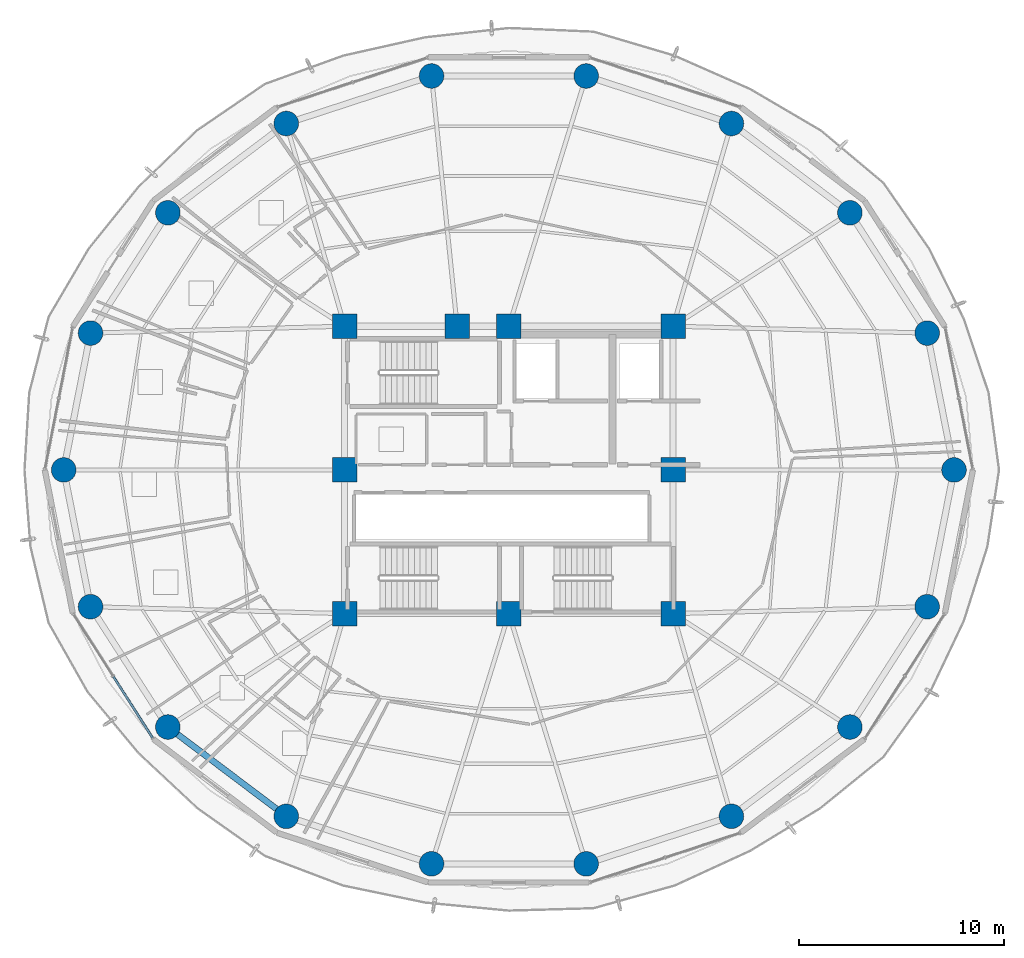
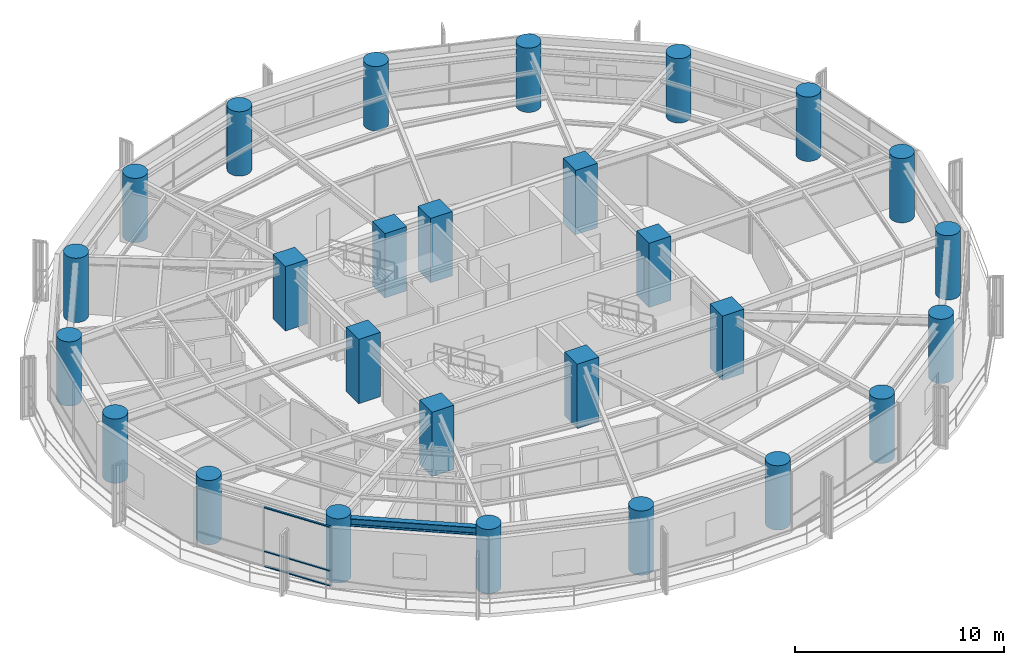
# One storey, part 1 of 28: 27 columns, 3 members, 1 beam, 1 element without a shape of its own.
"""IFC4 building model written with IfcOpenShell, lengths in metres."""

from ifc_helpers import new_model, si_unit, direction, frame, origin, origin_2d, place, context, subcontext, project, spatial, rectangle, hollow_rectangle, circle, i_section, extrude, material, layer, layer_set, material_profile, profile_set, type_object, element, aggregate, save


model = new_model("IFC4")

# Units and contexts
model_context = context("Model", 3, precision=1e-05, world=origin(), true_north=direction((0.0, 1.0)))
body_context = subcontext(model_context, "Body", "Model", "MODEL_VIEW")
ifc_project = project(units=[si_unit("LENGTHUNIT", "METRE"), si_unit("AREAUNIT", "SQUARE_METRE"), si_unit("VOLUMEUNIT", "CUBIC_METRE"), si_unit("PLANEANGLEUNIT", "RADIAN"), si_unit("MASSUNIT", "GRAM", prefix="KILO")], contexts=[model_context])

# Site, building, storey
site_placement = place(None, origin())
site = spatial("IfcSite", under=ifc_project, at=site_placement, CompositionType="ELEMENT")
building_placement = place(site_placement, origin())
building = spatial("IfcBuilding", under=site, at=building_placement, Name="Kelanora Arch Commons", CompositionType="ELEMENT")
storey_placement = place(building_placement, frame((0.0, 0.0, 161.85009765625)))
storey = spatial("IfcBuildingStorey", under=building, at=storey_placement, Name="L41", CompositionType="ELEMENT", Elevation=161.85009765625)

# Columns
ifc_material_1 = material(Name="Concrete C50/60", Category="concrete")
ifc_material_profile_1 = material_profile(ifc_material_1, circle(Radius=0.60009765625, at=origin_2d()), Name="RCC1200")
ifc_profile_set_1 = profile_set([ifc_material_profile_1], Name="Concrete C50/60")
column_type_1 = type_object("IfcColumnType", Name="COL-PERIM-Z3", PredefinedType="COLUMN", material=ifc_profile_set_1)
for number, where, z_axis, x_axis, name in (
    (1, (95.679931640625, 58.0, 0.0), (0.0, 0.0, 1.0), (1.0, 0.0, 0.0), "Perimeter Ring Column CP-00 L41"),
    (2, (94.37255859375, 64.66259765625, 0.0), (0.0, 0.0, 1.0), (1.0, 0.0, 0.0), "Perimeter Ring Column CP-02 L41"),
    (3, (90.60791015625, 70.521484375, 0.0), (0.0, 0.0, 1.0), (1.0, 0.0, 0.0), "Perimeter Ring Column CP-04 L41"),
    (4, (84.840087890625, 74.8701171875, 0.0), (0.0, 0.0, 1.0), (1.0, 0.0, 0.0), "Perimeter Ring Column CP-06 L41"),
    (5, (77.7646484375, 77.18408203125, 0.0), (0.0, 0.0, 1.0), (1.0, 0.0, 0.0), "Perimeter Ring Column CP-08 L41"),
    (6, (70.2353515625, 77.18408203125, 0.0), (0.0, 0.0, 1.0), (1.0, 0.0, 0.0), "Perimeter Ring Column CP-10 L41"),
    (7, (63.159912109375, 74.8701171875, 0.0), (0.0, 0.0, 1.0), (1.0, 0.0, 0.0), "Perimeter Ring Column CP-12 L41"),
    (8, (57.39208984375, 70.521484375, 0.0), (0.0, 0.0, 1.0), (1.0, 0.0, 0.0), "Perimeter Ring Column CP-14 L41"),
    (9, (53.62744140625, 64.66259765625, 0.0), (0.0, 0.0, 1.0), (1.0, 0.0, 0.0), "Perimeter Ring Column CP-16 L41"),
    (10, (52.320068359375, 58.0, 0.0), (0.0, 0.0, 1.0), (1.0, 0.0, 0.0), "Perimeter Ring Column CP-18 L41"),
    (11, (53.62744140625, 51.33740234375, 0.0), (0.0, 0.0, 1.0), (1.0, 0.0, 0.0), "Perimeter Ring Column CP-20 L41"),
    (12, (57.39208984375, 45.478515625, 0.0), (0.0, 0.0, 1.0), (1.0, 0.0, 0.0), "Perimeter Ring Column CP-22 L41"),
    (13, (63.159912109375, 41.1298828125, 0.0), (0.0, 0.0, 1.0), (1.0, 0.0, 0.0), "Perimeter Ring Column CP-24 L41"),
    (14, (70.2353515625, 38.81591796875, 0.0), (0.0, 0.0, 1.0), (1.0, 0.0, 0.0), "Perimeter Ring Column CP-26 L41"),
    (15, (77.7646484375, 38.81591796875, 0.0), (0.0, 0.0, 1.0), (1.0, 0.0, 0.0), "Perimeter Ring Column CP-28 L41"),
    (16, (84.840087890625, 41.1298828125, 0.0), (0.0, 0.0, 1.0), (1.0, 0.0, 0.0), "Perimeter Ring Column CP-30 L41"),
    (17, (90.60791015625, 45.478515625, 0.0), (0.0, 0.0, 1.0), (1.0, 0.0, 0.0), "Perimeter Ring Column CP-32 L41"),
    (18, (94.37255859375, 51.33740234375, 0.0), (0.0, 0.0, 1.0), (1.0, 0.0, 0.0), "Perimeter Ring Column CP-34 L41"),
):
    element("IfcColumn", number, at=place(storey_placement, frame(where, z_axis=z_axis, x_axis=x_axis)), inside=storey, type_object=column_type_1, Name=name, PredefinedType="COLUMN", context=body_context, shape_type="SweptSolid", body=[
        extrude(circle(Radius=0.60009765625, at=origin_2d()), origin(), (0.0, 0.0, 1.0), 3.75),
    ])
ifc_material_2 = material(Name="Concrete C60/75", Category="concrete")
ifc_material_profile_2 = material_profile(ifc_material_2, rectangle(XDim=1.199951171875, YDim=1.199951171875, at=origin_2d()), Name="RC1200x1200")
ifc_profile_set_2 = profile_set([ifc_material_profile_2], Name="Concrete C60/75")
column_type_2 = type_object("IfcColumnType", Name="COL-PIL-MID", PredefinedType="PILASTER", material=ifc_profile_set_2)
for number, where, z_axis, x_axis, name in (
    (19, (66.0, 51.0, 0.0), (0.0, 0.0, 1.0), (1.0, 0.0, 0.0), "Core Pilaster Column CP1 L41"),
    (20, (74.0, 51.0, 0.0), (0.0, 0.0, 1.0), (1.0, 0.0, 0.0), "Core Pilaster Column CP2 L41"),
    (21, (82.0, 51.0, 0.0), (0.0, 0.0, 1.0), (1.0, 0.0, 0.0), "Core Pilaster Column CP3 L41"),
    (22, (82.0, 58.0, 0.0), (0.0, 0.0, 1.0), (1.0, 0.0, 0.0), "Core Pilaster Column CP4 L41"),
    (23, (82.0, 65.0, 0.0), (0.0, 0.0, 1.0), (1.0, 0.0, 0.0), "Core Pilaster Column CP5 L41"),
    (24, (74.0, 65.0, 0.0), (0.0, 0.0, 1.0), (1.0, 0.0, 0.0), "Core Pilaster Column CP6 L41"),
    (25, (71.47998046875, 65.0, 0.0), (0.0, 0.0, 1.0), (1.0, 0.0, 0.0), "Core Pilaster Column CP9 L41"),
    (26, (66.0, 65.0, 0.0), (0.0, 0.0, 1.0), (1.0, 0.0, 0.0), "Core Pilaster Column CP7 L41"),
    (27, (66.0, 58.0, 0.0), (0.0, 0.0, 1.0), (1.0, 0.0, 0.0), "Core Pilaster Column CP8 L41"),
):
    element("IfcColumn", number, at=place(storey_placement, frame(where, z_axis=z_axis, x_axis=x_axis)), inside=storey, type_object=column_type_2, Name=name, PredefinedType="PILASTER", context=body_context, shape_type="SweptSolid", body=[
        extrude(rectangle(XDim=1.199951171875, YDim=1.199951171875, at=origin_2d()), origin(), (0.0, 0.0, 1.0), 3.75),
    ])

# Beam
ifc_material_3 = material(Name="Steel S355", Category="steel")
ifc_material_profile_3 = material_profile(ifc_material_3, i_section(OverallWidth=0.300048828125, OverallDepth=0.449951171875, WebThickness=0.013916015625, FlangeThickness=0.02587890625, FilletRadius=0.027099609375, at=origin_2d()), Name="HEB450")
ifc_profile_set_3 = profile_set([ifc_material_profile_3], Name="Steel S355")
beam_type = type_object("IfcBeamType", Name="BM-SPN-Z3", PredefinedType="SPANDREL", material=ifc_profile_set_3)
beam_placement = place(storey_placement, frame((57.39208984375, 45.478515625, 3.264892578125), z_axis=(0.798484645564, -0.60201517489, 0.0), x_axis=(0.60201517489, 0.798484645564, 0.0)))
element("IfcBeam", 28, at=beam_placement, inside=storey, type_object=beam_type, Name="Perimeter Spandrel Beam BS-22 L41", PredefinedType="SPANDREL", context=body_context, shape_type="SweptSolid", body=[
    extrude(i_section(OverallWidth=0.300048828125, OverallDepth=0.449951171875, WebThickness=0.013916015625, FlangeThickness=0.02587890625, FilletRadius=0.027099609375, at=origin_2d()), origin(), (0.0, 0.0, 1.0), 7.223388671875),
])

# Curtain wall, members
ifc_material_4 = material(Name="Terracotta ceramic-fritted low-E glass and aluminium", Category="masonry")
ifc_layer = layer(ifc_material_4, 0.175048828125)
ifc_layer_set = layer_set([ifc_layer], Name="Terracotta ceramic-fritted low-E glass and aluminium")
curtain_wall_type = type_object("IfcCurtainWallType", Name="CW-SYS-02", PredefinedType="NOTDEFINED", material=ifc_layer_set)
curtain_wall_placement = place(storey_placement, origin())
curtain_wall = element("IfcCurtainWall", 29, at=curtain_wall_placement, inside=storey, type_object=curtain_wall_type, Name="Unitised Curtain Wall L41-B10", PredefinedType="NOTDEFINED")
ifc_material_5 = material(Name="Powder-coated aluminium terracotta", Category="masonry")
ifc_material_profile_4 = material_profile(ifc_material_5, hollow_rectangle(XDim=0.1201171875, YDim=0.06005859375, WallThickness=0.0048828125, InnerFilletRadius=0.0048828125, OuterFilletRadius=0.010009765625, at=origin_2d()), Name="CWT120x60")
ifc_profile_set_4 = profile_set([ifc_material_profile_4], Name="Powder-coated aluminium terracotta")
member_type = type_object("IfcMemberType", Name="CWT-STD", PredefinedType="USERDEFINED", material=ifc_profile_set_4)
member_1_placement = place(storey_placement, frame((54.7412109375, 47.9296875, 0.02978515625), z_axis=(0.53883037555, -0.842414284295, 0.0), x_axis=(0.842414284295, 0.53883037555, 0.0)))
member_1 = element("IfcMember", 30, at=member_1_placement, type_object=member_type, Name="CW-02 transom 2.1", ObjectType="TRANSOM", PredefinedType="USERDEFINED", context=body_context, shape_type="SweptSolid", body=[
    extrude(hollow_rectangle(XDim=0.1201171875, YDim=0.06005859375, WallThickness=0.0048828125, InnerFilletRadius=0.0048828125, OuterFilletRadius=0.010009765625, at=origin_2d()), origin(), (0.0, 0.0, 1.0), 3.536865234375),
])
member_2_placement = place(storey_placement, frame((54.7412109375, 47.9296875, 0.89990234375), z_axis=(0.53883037555, -0.842414284295, 0.0), x_axis=(0.842414284295, 0.53883037555, 0.0)))
member_2 = element("IfcMember", 31, at=member_2_placement, type_object=member_type, Name="CW-02 transom 2.2", ObjectType="TRANSOM", PredefinedType="USERDEFINED", context=body_context, shape_type="SweptSolid", body=[
    extrude(hollow_rectangle(XDim=0.1201171875, YDim=0.06005859375, WallThickness=0.0048828125, InnerFilletRadius=0.0048828125, OuterFilletRadius=0.010009765625, at=origin_2d()), origin(), (0.0, 0.0, 1.0), 3.536865234375),
])
member_3_placement = place(storey_placement, frame((54.7412109375, 47.9296875, 3.44482421875), z_axis=(0.53883037555, -0.842414284295, 0.0), x_axis=(0.842414284295, 0.53883037555, 0.0)))
member_3 = element("IfcMember", 32, at=member_3_placement, type_object=member_type, Name="CW-02 transom 2.3", ObjectType="TRANSOM", PredefinedType="USERDEFINED", context=body_context, shape_type="SweptSolid", body=[
    extrude(hollow_rectangle(XDim=0.1201171875, YDim=0.06005859375, WallThickness=0.0048828125, InnerFilletRadius=0.0048828125, OuterFilletRadius=0.010009765625, at=origin_2d()), origin(), (0.0, 0.0, 1.0), 3.536865234375),
])
aggregate(curtain_wall, [member_1, member_2, member_3])

save(model, "model.ifc")
